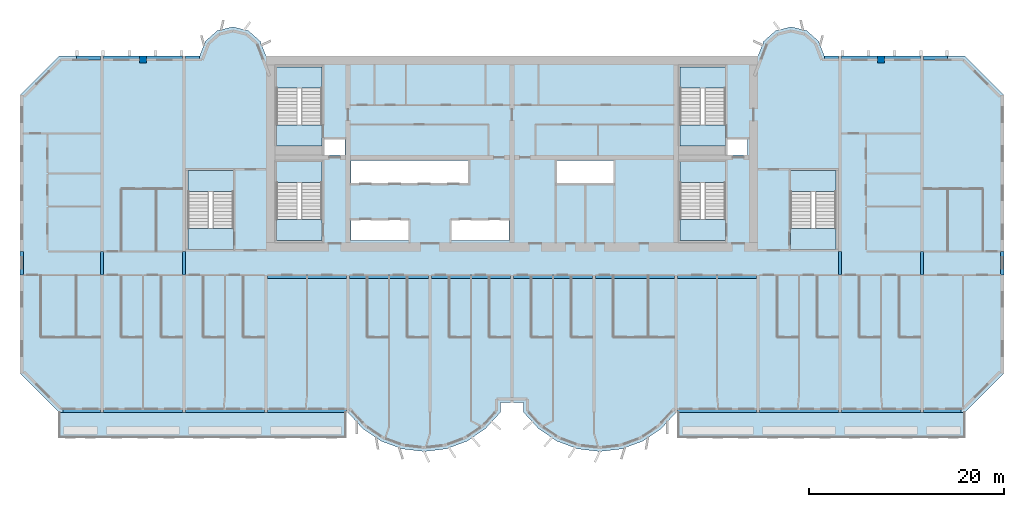
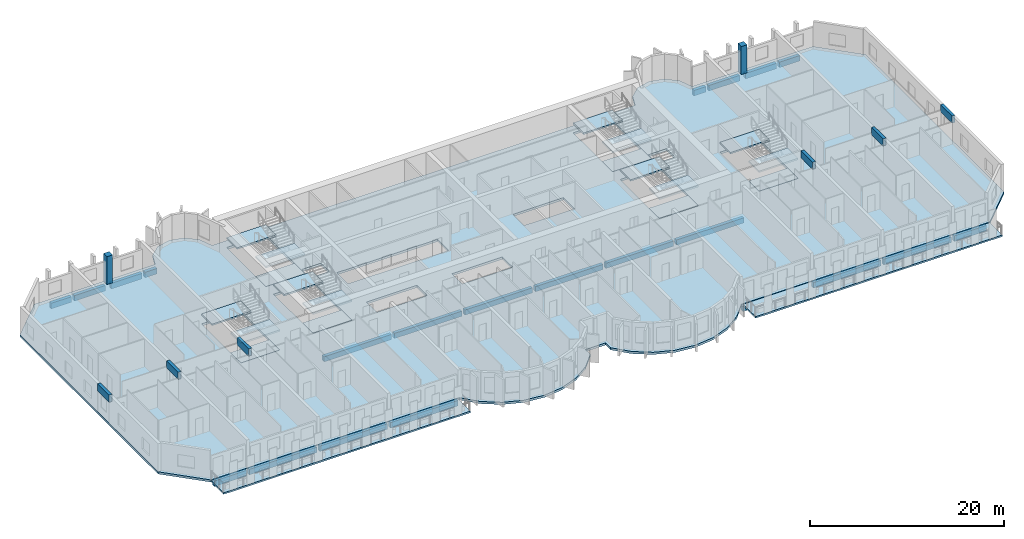
# One storey, part 1 of 14: 28 beams, 21 slabs, 2 columns, 6 elements without a shape of their own.
"""IFC4 building model written with IfcOpenShell, lengths in metres."""

from ifc_helpers import new_model, si_unit, direction, frame, origin, origin_2d, place, context, subcontext, project, spatial, polyline, rectangle, outline, extrude, source, transform, mapped, material, layer, layer_set, material_profile, profile_set, type_object, element, aggregate, save


model = new_model("IFC4")

# Units and contexts
model_context = context("Model", 3, precision=1e-05, world=origin(), true_north=direction((0.0, 1.0)))
body_context = subcontext(model_context, "Body", "Model", "MODEL_VIEW")
ifc_project = project(units=[si_unit("LENGTHUNIT", "METRE"), si_unit("AREAUNIT", "SQUARE_METRE"), si_unit("VOLUMEUNIT", "CUBIC_METRE"), si_unit("PLANEANGLEUNIT", "RADIAN"), si_unit("MASSUNIT", "GRAM", prefix="KILO")], contexts=[model_context])

# Site, building, storey
site_placement = place(None, origin())
site = spatial("IfcSite", under=ifc_project, at=site_placement, CompositionType="ELEMENT")
building_placement = place(site_placement, origin())
building = spatial("IfcBuilding", under=site, at=building_placement, Name="Vanashikhar Sky Hotel", CompositionType="ELEMENT")
storey_placement = place(building_placement, frame((0.0, 0.0, 129.39990234375)))
storey = spatial("IfcBuildingStorey", under=building, at=storey_placement, Name="L31", CompositionType="ELEMENT", Elevation=129.39990234375)

# Columns
ifc_material_1 = material(Name="Concrete M60", Category="concrete")
ifc_material_profile_1 = material_profile(ifc_material_1, rectangle(XDim=0.699951171875, YDim=0.699951171875, at=origin_2d()))
ifc_profile_set_1 = profile_set([ifc_material_profile_1], Name="RC 700x700 column Concrete M60")
column_type = type_object("IfcColumnType", Name="RC 700x700 column Concrete M60", PredefinedType="COLUMN", material=ifc_profile_set_1)
shared_shape_1 = source(origin(), body_context, "Body", "SweptSolid", [
    extrude(rectangle(XDim=0.699951171875, YDim=0.699951171875, at=origin_2d()), origin(), (0.0, 0.0, 1.0), 3.52001953125),
])
for number, where, z_axis, x_axis, name in (
    (1, (12.60009765625, 41.64990234375, 0.0), (0.0, 0.0, 1.0), (1.0, 0.0, 0.0), "CL-L31-CR02"),
    (2, (88.199951171875, 41.64990234375, 0.0), (0.0, 0.0, 1.0), (1.0, 0.0, 0.0), "CL-L31-CR11"),
):
    element("IfcColumn", number, at=place(storey_placement, frame(where, z_axis=z_axis, x_axis=x_axis)), inside=storey, type_object=column_type, Name=name, PredefinedType="COLUMN", context=body_context, shape_type="MappedRepresentation", body=[
        mapped(shared_shape_1, transform((0.0, 0.0, 0.0), scale=1.0)),
    ])

# Beams
ifc_material_2 = material(Name="Concrete M50", Category="concrete")
ifc_material_profile_2 = material_profile(ifc_material_2, rectangle(XDim=0.35009765625, YDim=0.89990234375, at=origin_2d()))
ifc_profile_set_2 = profile_set([ifc_material_profile_2], Name="RC 350x900 beam Concrete M50")
beam_type_1 = type_object("IfcBeamType", Name="RC 350x900 beam Concrete M50", PredefinedType="LINTEL", material=ifc_profile_set_2)
shared_shape_2 = source(origin(), body_context, "Body", "SweptSolid", [
    extrude(rectangle(XDim=0.35009765625, YDim=0.89990234375, at=origin_2d()), origin(), (0.0, 0.0, 1.0), 2.39990234375),
])
for number, where, z_axis, x_axis, name in (
    (3, (0.175048828125, 19.60009765625, 3.070068359375), (0.0, 1.0, 0.0), (-1.0, 0.0, 0.0), "LB-L31-XW01"),
    (4, (8.39990234375, 19.60009765625, 3.070068359375), (0.0, 1.0, 0.0), (-1.0, 0.0, 0.0), "LB-L31-XW02"),
    (5, (16.800048828125, 19.60009765625, 3.070068359375), (0.0, 1.0, 0.0), (-1.0, 0.0, 0.0), "LB-L31-XW03"),
    (6, (84.0, 19.60009765625, 3.070068359375), (0.0, 1.0, 0.0), (-1.0, 0.0, 0.0), "LB-L31-XW11"),
    (7, (92.39990234375, 19.60009765625, 3.070068359375), (0.0, 1.0, 0.0), (-1.0, 0.0, 0.0), "LB-L31-XW12"),
    (8, (100.625, 19.60009765625, 3.070068359375), (0.0, 1.0, 0.0), (-1.0, 0.0, 0.0), "LB-L31-XW13"),
):
    element("IfcBeam", number, at=place(storey_placement, frame(where, z_axis=z_axis, x_axis=x_axis)), inside=storey, type_object=beam_type_1, Name=name, PredefinedType="LINTEL", context=body_context, shape_type="MappedRepresentation", body=[
        mapped(shared_shape_2, transform((0.0, 0.0, 0.0), scale=1.0)),
    ])
ifc_material_profile_3 = material_profile(ifc_material_2, rectangle(XDim=0.39990234375, YDim=0.699951171875, at=origin_2d()))
ifc_profile_set_3 = profile_set([ifc_material_profile_3], Name="RC 400x700 beam Concrete M50")
beam_type_2 = type_object("IfcBeamType", Name="RC 400x700 beam Concrete M50", PredefinedType="SPANDREL", material=ifc_profile_set_3)
shared_shape_3 = source(origin(), body_context, "Body", "SweptSolid", [
    extrude(rectangle(XDim=0.39990234375, YDim=0.699951171875, at=origin_2d()), origin(), (0.0, 0.0, 1.0), 8.050048828125),
])
for number, where, z_axis, x_axis, name in (
    (9, (8.574951171875, 5.699951171875, -0.6298828125), (1.0, 0.0, 0.0), (0.0, 1.0, 0.0), "EB-L31-F01"),
    (10, (25.375, 5.699951171875, -0.6298828125), (1.0, 0.0, 0.0), (0.0, 1.0, 0.0), "EB-L31-F03"),
    (11, (67.375, 5.699951171875, -0.6298828125), (1.0, 0.0, 0.0), (0.0, 1.0, 0.0), "EB-L31-F05"),
    (12, (75.77490234375, 5.699951171875, -0.6298828125), (1.0, 0.0, 0.0), (0.0, 1.0, 0.0), "EB-L31-F06"),
    (13, (84.175048828125, 5.699951171875, -0.6298828125), (1.0, 0.0, 0.0), (0.0, 1.0, 0.0), "EB-L31-F07"),
):
    element("IfcBeam", number, at=place(storey_placement, frame(where, z_axis=z_axis, x_axis=x_axis)), inside=storey, type_object=beam_type_2, Name=name, PredefinedType="SPANDREL", context=body_context, shape_type="MappedRepresentation", body=[
        mapped(shared_shape_3, transform((0.0, 0.0, 0.0), scale=1.0)),
    ])
shared_shape_4 = source(origin(), body_context, "Body", "SweptSolid", [
    extrude(rectangle(XDim=0.39990234375, YDim=0.699951171875, at=origin_2d()), origin(), (0.0, 0.0, 1.0), 8.0498046875),
])
beam_1_placement = place(storey_placement, frame((16.97509765625, 5.699951171875, -0.6298828125), z_axis=(1.0, 0.0, 0.0), x_axis=(0.0, 1.0, 0.0)))
element("IfcBeam", 14, at=beam_1_placement, inside=storey, type_object=beam_type_2, Name="EB-L31-F02", PredefinedType="SPANDREL", context=body_context, shape_type="MappedRepresentation", body=[
    mapped(shared_shape_4, transform((0.0, 0.0, 0.0), scale=1.0)),
])
ifc_material_profile_4 = material_profile(ifc_material_2, rectangle(XDim=0.39990234375, YDim=0.699951171875, at=origin_2d()))
ifc_profile_set_4 = profile_set([ifc_material_profile_4], Name="RC 400x700 cantilever beam Concrete M50")
beam_type_3 = type_object("IfcBeamType", Name="RC 400x700 cantilever beam Concrete M50", PredefinedType="SPANDREL", material=ifc_profile_set_4)
shared_shape_5 = source(origin(), body_context, "Body", "SweptSolid", [
    extrude(rectangle(XDim=0.39990234375, YDim=0.699951171875, at=origin_2d()), origin(), (0.0, 0.0, 1.0), 3.8251953125),
])
beam_2_placement = place(storey_placement, frame((4.39990234375, 5.699951171875, -0.6298828125), z_axis=(1.0, 0.0, 0.0), x_axis=(0.0, 1.0, 0.0)))
element("IfcBeam", 15, at=beam_2_placement, inside=storey, type_object=beam_type_3, Name="EB-L31-F04", PredefinedType="SPANDREL", context=body_context, shape_type="MappedRepresentation", body=[
    mapped(shared_shape_5, transform((0.0, 0.0, 0.0), scale=1.0)),
])
shared_shape_6 = source(origin(), body_context, "Body", "SweptSolid", [
    extrude(rectangle(XDim=0.39990234375, YDim=0.699951171875, at=origin_2d()), origin(), (0.0, 0.0, 1.0), 3.824951171875),
])
beam_3_placement = place(storey_placement, frame((92.574951171875, 5.699951171875, -0.6298828125), z_axis=(1.0, 0.0, 0.0), x_axis=(0.0, 1.0, 0.0)))
element("IfcBeam", 16, at=beam_3_placement, inside=storey, type_object=beam_type_3, Name="EB-L31-F08", PredefinedType="SPANDREL", context=body_context, shape_type="MappedRepresentation", body=[
    mapped(shared_shape_6, transform((0.0, 0.0, 0.0), scale=1.0)),
])
shared_shape_7 = source(origin(), body_context, "Body", "SweptSolid", [
    extrude(rectangle(XDim=0.39990234375, YDim=0.699951171875, at=origin_2d()), origin(), (0.0, 0.0, 1.0), 3.675048828125),
])
for number, where, z_axis, x_axis, name in (
    (17, (8.574951171875, 41.800048828125, -0.6298828125), (1.0, 0.0, 0.0), (0.0, 1.0, 0.0), "EB-L31-R01"),
    (18, (12.949951171875, 41.800048828125, -0.6298828125), (1.0, 0.0, 0.0), (0.0, 1.0, 0.0), "EB-L31-R02"),
    (19, (84.175048828125, 41.800048828125, -0.6298828125), (1.0, 0.0, 0.0), (0.0, 1.0, 0.0), "EB-L31-R05"),
    (20, (88.550048828125, 41.800048828125, -0.6298828125), (1.0, 0.0, 0.0), (0.0, 1.0, 0.0), "EB-L31-R06"),
):
    element("IfcBeam", number, at=place(storey_placement, frame(where, z_axis=z_axis, x_axis=x_axis)), inside=storey, type_object=beam_type_2, Name=name, PredefinedType="SPANDREL", context=body_context, shape_type="MappedRepresentation", body=[
        mapped(shared_shape_7, transform((0.0, 0.0, 0.0), scale=1.0)),
    ])
shared_shape_8 = source(origin(), body_context, "Body", "SweptSolid", [
    extrude(rectangle(XDim=0.39990234375, YDim=0.699951171875, at=origin_2d()), origin(), (0.0, 0.0, 1.0), 2.43017578125),
])
beam_4_placement = place(storey_placement, frame((5.794921875, 41.800048828125, -0.6298828125), z_axis=(1.0, 0.0, 0.0), x_axis=(0.0, 1.0, 0.0)))
element("IfcBeam", 21, at=beam_4_placement, inside=storey, type_object=beam_type_3, Name="EB-L31-R03", PredefinedType="SPANDREL", context=body_context, shape_type="MappedRepresentation", body=[
    mapped(shared_shape_8, transform((0.0, 0.0, 0.0), scale=1.0)),
])
shared_shape_9 = source(origin(), body_context, "Body", "SweptSolid", [
    extrude(rectangle(XDim=0.39990234375, YDim=0.699951171875, at=origin_2d()), origin(), (0.0, 0.0, 1.0), 1.4248046875),
])
beam_5_placement = place(storey_placement, frame((16.97509765625, 41.800048828125, -0.6298828125), z_axis=(1.0, 0.0, 0.0), x_axis=(0.0, 1.0, 0.0)))
element("IfcBeam", 22, at=beam_5_placement, inside=storey, type_object=beam_type_3, Name="EB-L31-R04", PredefinedType="SPANDREL", context=body_context, shape_type="MappedRepresentation", body=[
    mapped(shared_shape_9, transform((0.0, 0.0, 0.0), scale=1.0)),
])
shared_shape_10 = source(origin(), body_context, "Body", "SweptSolid", [
    extrude(rectangle(XDim=0.39990234375, YDim=0.699951171875, at=origin_2d()), origin(), (0.0, 0.0, 1.0), 1.425048828125),
])
beam_6_placement = place(storey_placement, frame((82.39990234375, 41.800048828125, -0.6298828125), z_axis=(1.0, 0.0, 0.0), x_axis=(0.0, 1.0, 0.0)))
element("IfcBeam", 23, at=beam_6_placement, inside=storey, type_object=beam_type_3, Name="EB-L31-R07", PredefinedType="SPANDREL", context=body_context, shape_type="MappedRepresentation", body=[
    mapped(shared_shape_10, transform((0.0, 0.0, 0.0), scale=1.0)),
])
shared_shape_11 = source(origin(), body_context, "Body", "SweptSolid", [
    extrude(rectangle(XDim=0.39990234375, YDim=0.699951171875, at=origin_2d()), origin(), (0.0, 0.0, 1.0), 2.429931640625),
])
beam_7_placement = place(storey_placement, frame((92.574951171875, 41.800048828125, -0.6298828125), z_axis=(1.0, 0.0, 0.0), x_axis=(0.0, 1.0, 0.0)))
element("IfcBeam", 24, at=beam_7_placement, inside=storey, type_object=beam_type_3, Name="EB-L31-R08", PredefinedType="SPANDREL", context=body_context, shape_type="MappedRepresentation", body=[
    mapped(shared_shape_11, transform((0.0, 0.0, 0.0), scale=1.0)),
])
ifc_material_profile_5 = material_profile(ifc_material_2, rectangle(XDim=0.39990234375, YDim=0.64990234375, at=origin_2d()))
ifc_profile_set_5 = profile_set([ifc_material_profile_5], Name="RC 400x650 beam Concrete M50")
beam_type_4 = type_object("IfcBeamType", Name="RC 400x650 beam Concrete M50", PredefinedType="BEAM", material=ifc_profile_set_5)
shared_shape_12 = source(origin(), body_context, "Body", "SweptSolid", [
    extrude(rectangle(XDim=0.39990234375, YDim=0.64990234375, at=origin_2d()), origin(), (0.0, 0.0, 1.0), 8.050048828125),
])
for number, where, z_axis, x_axis, name in (
    (25, (25.375, 19.39990234375, -0.60498046875), (1.0, 0.0, 0.0), (0.0, 1.0, 0.0), "CB-L31-01"),
    (26, (33.77490234375, 19.39990234375, -0.60498046875), (1.0, 0.0, 0.0), (0.0, 1.0, 0.0), "CB-L31-02"),
    (27, (42.175048828125, 19.39990234375, -0.60498046875), (1.0, 0.0, 0.0), (0.0, 1.0, 0.0), "CB-L31-03"),
    (28, (50.574951171875, 19.39990234375, -0.60498046875), (1.0, 0.0, 0.0), (0.0, 1.0, 0.0), "CB-L31-04"),
    (29, (67.375, 19.39990234375, -0.60498046875), (1.0, 0.0, 0.0), (0.0, 1.0, 0.0), "CB-L31-06"),
):
    element("IfcBeam", number, at=place(storey_placement, frame(where, z_axis=z_axis, x_axis=x_axis)), inside=storey, type_object=beam_type_4, Name=name, PredefinedType="BEAM", context=body_context, shape_type="MappedRepresentation", body=[
        mapped(shared_shape_12, transform((0.0, 0.0, 0.0), scale=1.0)),
    ])
shared_shape_13 = source(origin(), body_context, "Body", "SweptSolid", [
    extrude(rectangle(XDim=0.39990234375, YDim=0.64990234375, at=origin_2d()), origin(), (0.0, 0.0, 1.0), 8.0498046875),
])
beam_8_placement = place(storey_placement, frame((58.97509765625, 19.39990234375, -0.60498046875), z_axis=(1.0, 0.0, 0.0), x_axis=(0.0, 1.0, 0.0)))
element("IfcBeam", 30, at=beam_8_placement, inside=storey, type_object=beam_type_4, Name="CB-L31-05", PredefinedType="BEAM", context=body_context, shape_type="MappedRepresentation", body=[
    mapped(shared_shape_13, transform((0.0, 0.0, 0.0), scale=1.0)),
])

# Slabs
ifc_material_3 = material(Name="Concrete M40", Category="concrete")
ifc_layer_1 = layer(ifc_material_3, 0.280029296875)
ifc_layer_set_1 = layer_set([ifc_layer_1], Name="Floor slab 280 mm")
slab_type_1 = type_object("IfcSlabType", Name="Floor slab 280 mm", PredefinedType="FLOOR", material=ifc_layer_set_1)
shared_shape_14 = source(origin(), body_context, "Body", "SweptSolid", [
    extrude(outline(polyline([(49.199951171875, 5.5), (49.199951171875, 6.5), (51.60009765625, 6.5), (51.60009765625, 5.5), (53.133056640625, 3.825927734375), (55.01708984375, 2.55810546875), (57.14599609375, 1.76806640625), (59.39990234375, 1.5), (61.654052734375, 1.76806640625), (63.782958984375, 2.55810546875), (65.6669921875, 3.825927734375), (67.199951171875, 5.5), (96.800048828125, 5.5), (100.800048828125, 9.5), (100.800048828125, 38.0), (96.800048828125, 42.0), (82.39990234375, 42.0), (81.81494140625, 43.527099609375), (80.587890625, 44.610107421875), (79.0, 45.0), (77.412109375, 44.610107421875), (76.18505859375, 43.527099609375), (75.60009765625, 42.0), (25.199951171875, 42.0), (24.614990234375, 43.527099609375), (23.387939453125, 44.610107421875), (21.800048828125, 45.0), (20.2119140625, 44.610107421875), (18.985107421875, 43.527099609375), (18.39990234375, 42.0), (4.0, 42.0), (0.0, 38.0), (0.0, 9.5), (4.0, 5.5), (33.60009765625, 5.5), (35.133056640625, 3.825927734375), (37.01708984375, 2.55810546875), (39.14599609375, 1.76806640625), (41.39990234375, 1.5), (43.654052734375, 1.76806640625), (45.782958984375, 2.55810546875), (47.6669921875, 3.825927734375), (49.199951171875, 5.5)]), holes=[polyline([(33.300048828125, 33.60009765625), (31.050048828125, 33.60009765625), (31.050048828125, 31.89990234375), (33.300048828125, 31.89990234375), (33.300048828125, 33.60009765625)]), polyline([(33.89990234375, 25.199951171875), (33.89990234375, 23.10009765625), (39.89990234375, 23.10009765625), (39.89990234375, 25.199951171875), (33.89990234375, 25.199951171875)]), polyline([(33.89990234375, 31.300048828125), (33.89990234375, 29.0), (45.89990234375, 29.0), (45.89990234375, 31.300048828125), (33.89990234375, 31.300048828125)]), polyline([(44.10009765625, 25.199951171875), (44.10009765625, 23.10009765625), (50.10009765625, 23.10009765625), (50.10009765625, 25.199951171875), (44.10009765625, 25.199951171875)]), polyline([(54.89990234375, 31.300048828125), (54.89990234375, 29.0), (60.89990234375, 29.0), (60.89990234375, 31.300048828125), (54.89990234375, 31.300048828125)]), polyline([(74.5, 33.60009765625), (72.35009765625, 33.60009765625), (72.35009765625, 31.89990234375), (74.5, 31.89990234375), (74.5, 33.60009765625)]), polyline([(30.949951171875, 23.10009765625), (30.949951171875, 31.199951171875), (26.300048828125, 31.199951171875), (26.300048828125, 23.10009765625), (30.949951171875, 23.10009765625)]), polyline([(72.25, 23.10009765625), (72.25, 31.199951171875), (67.60009765625, 31.199951171875), (67.60009765625, 23.10009765625), (72.25, 23.10009765625)]), polyline([(30.949951171875, 32.800048828125), (30.949951171875, 40.89990234375), (26.300048828125, 40.89990234375), (26.300048828125, 32.800048828125), (30.949951171875, 32.800048828125)]), polyline([(72.25, 32.800048828125), (72.25, 40.89990234375), (67.60009765625, 40.89990234375), (67.60009765625, 32.800048828125), (72.25, 32.800048828125)]), polyline([(83.60009765625, 22.199951171875), (83.60009765625, 30.300048828125), (78.949951171875, 30.300048828125), (78.949951171875, 22.199951171875), (83.60009765625, 22.199951171875)]), polyline([(21.85009765625, 22.199951171875), (21.85009765625, 30.300048828125), (17.199951171875, 30.300048828125), (17.199951171875, 22.199951171875), (21.85009765625, 22.199951171875)])]), origin(), (0.0, 0.0, 1.0), 0.27978515625),
])
slab_1_placement = place(storey_placement, frame((0.0, 0.0, -0.27978515625)))
element("IfcSlab", 31, at=slab_1_placement, inside=storey, type_object=slab_type_1, Name="Floor slab L31", PredefinedType="FLOOR", context=body_context, shape_type="MappedRepresentation", body=[
    mapped(shared_shape_14, transform((0.0, 0.0, 0.0), scale=1.0)),
])
ifc_layer_2 = layer(ifc_material_3, 0.199951171875)
ifc_layer_set_2 = layer_set([ifc_layer_2], Name="Balcony slab 200 mm")
slab_type_2 = type_object("IfcSlabType", Name="Balcony slab 200 mm", PredefinedType="USERDEFINED", material=ifc_layer_set_2)
shared_shape_15 = source(origin(), body_context, "Body", "SweptSolid", [
    extrude(outline(polyline([(4.0, 2.89990234375), (33.39990234375, 2.89990234375), (33.39990234375, 5.5), (4.0, 5.5), (4.0, 2.89990234375)])), origin(), (0.0, 0.0, 1.0), 0.2001953125),
])
slab_2_placement = place(storey_placement, frame((0.0, 0.0, -0.25)))
element("IfcSlab", 32, at=slab_2_placement, inside=storey, type_object=slab_type_2, Name="Balcony slab L31 1", ObjectType="BALCONY", PredefinedType="USERDEFINED", context=body_context, shape_type="MappedRepresentation", body=[
    mapped(shared_shape_15, transform((0.0, 0.0, 0.0), scale=1.0)),
])
shared_shape_16 = source(origin(), body_context, "Body", "SweptSolid", [
    extrude(outline(polyline([(67.39990234375, 2.89990234375), (96.800048828125, 2.89990234375), (96.800048828125, 5.5), (67.39990234375, 5.5), (67.39990234375, 2.89990234375)])), origin(), (0.0, 0.0, 1.0), 0.2001953125),
])
slab_3_placement = place(storey_placement, frame((0.0, 0.0, -0.25)))
element("IfcSlab", 33, at=slab_3_placement, inside=storey, type_object=slab_type_2, Name="Balcony slab L31 2", ObjectType="BALCONY", PredefinedType="USERDEFINED", context=body_context, shape_type="MappedRepresentation", body=[
    mapped(shared_shape_16, transform((0.0, 0.0, 0.0), scale=1.0)),
])

# Stair, slabs
stair_type = type_object("IfcStairType", Name="Exit stair 2150", PredefinedType="DOUBLE_RETURN_STAIR", material=ifc_material_3)
stair_1_placement = place(storey_placement, origin())
stair_1 = element("IfcStair", 34, at=stair_1_placement, inside=storey, type_object=stair_type, Name="L31 Exit stair 1", PredefinedType="DOUBLE_RETURN_STAIR")
ifc_layer_3 = layer(ifc_material_3, 0.199951171875)
ifc_layer_set_3 = layer_set([ifc_layer_3], Name="Stair landing 200")
slab_type_3 = type_object("IfcSlabType", Name="Stair landing 200", PredefinedType="LANDING", material=ifc_layer_set_3)
shared_shape_17 = source(origin(), body_context, "Body", "SweptSolid", [
    extrude(outline(polyline([(30.949951171875, 23.10009765625), (30.949951171875, 25.25), (26.300048828125, 25.25), (26.300048828125, 23.10009765625), (30.949951171875, 23.10009765625)])), origin(), (0.0, 0.0, 1.0), 0.199951171875),
])
slab_4_placement = place(storey_placement, frame((0.0, 0.0, 2.33349609375)))
slab_4 = element("IfcSlab", 35, at=slab_4_placement, type_object=slab_type_3, Name="ST-C1 landing 2", PredefinedType="LANDING", context=body_context, shape_type="MappedRepresentation", body=[
    mapped(shared_shape_17, transform((0.0, 0.0, 0.0), scale=1.0)),
])
shared_shape_18 = source(origin(), body_context, "Body", "SweptSolid", [
    extrude(outline(polyline([(30.949951171875, 29.050048828125), (30.949951171875, 31.199951171875), (26.300048828125, 31.199951171875), (26.300048828125, 29.050048828125), (30.949951171875, 29.050048828125)])), origin(), (0.0, 0.0, 1.0), 0.2001953125),
])
slab_5_placement = place(storey_placement, frame((0.0, 0.0, 1.066650390625)))
slab_5 = element("IfcSlab", 36, at=slab_5_placement, type_object=slab_type_3, Name="ST-C1 landing 1", PredefinedType="LANDING", context=body_context, shape_type="MappedRepresentation", body=[
    mapped(shared_shape_18, transform((0.0, 0.0, 0.0), scale=1.0)),
])
aggregate(stair_1, [slab_5, slab_4])

# Slab
ifc_layer_4 = layer(ifc_material_3, 0.280029296875)
ifc_layer_set_4 = layer_set([ifc_layer_4], Name="Stair floor landing 280")
slab_type_4 = type_object("IfcSlabType", Name="Stair floor landing 280", PredefinedType="LANDING", material=ifc_layer_set_4)
shared_shape_19 = source(origin(), body_context, "Body", "SweptSolid", [
    extrude(outline(polyline([(30.949951171875, 23.10009765625), (30.949951171875, 25.25), (26.300048828125, 25.25), (26.300048828125, 23.10009765625), (30.949951171875, 23.10009765625)])), origin(), (0.0, 0.0, 1.0), 0.27978515625),
])
slab_6_placement = place(storey_placement, frame((0.0, 0.0, -0.27978515625)))
element("IfcSlab", 37, at=slab_6_placement, inside=storey, type_object=slab_type_4, Name="Exit stair 1 floor landing", PredefinedType="LANDING", context=body_context, shape_type="MappedRepresentation", body=[
    mapped(shared_shape_19, transform((0.0, 0.0, 0.0), scale=1.0)),
])

# Stair, slabs
stair_2_placement = place(storey_placement, origin())
stair_2 = element("IfcStair", 38, at=stair_2_placement, inside=storey, type_object=stair_type, Name="L31 Exit stair 2", PredefinedType="DOUBLE_RETURN_STAIR")
shared_shape_20 = source(origin(), body_context, "Body", "SweptSolid", [
    extrude(outline(polyline([(72.25, 23.10009765625), (72.25, 25.25), (67.60009765625, 25.25), (67.60009765625, 23.10009765625), (72.25, 23.10009765625)])), origin(), (0.0, 0.0, 1.0), 0.199951171875),
])
slab_7_placement = place(storey_placement, frame((0.0, 0.0, 2.33349609375)))
slab_7 = element("IfcSlab", 39, at=slab_7_placement, type_object=slab_type_3, Name="ST-C2 landing 2", PredefinedType="LANDING", context=body_context, shape_type="MappedRepresentation", body=[
    mapped(shared_shape_20, transform((0.0, 0.0, 0.0), scale=1.0)),
])
shared_shape_21 = source(origin(), body_context, "Body", "SweptSolid", [
    extrude(outline(polyline([(72.25, 29.050048828125), (72.25, 31.199951171875), (67.60009765625, 31.199951171875), (67.60009765625, 29.050048828125), (72.25, 29.050048828125)])), origin(), (0.0, 0.0, 1.0), 0.2001953125),
])
slab_8_placement = place(storey_placement, frame((0.0, 0.0, 1.066650390625)))
slab_8 = element("IfcSlab", 40, at=slab_8_placement, type_object=slab_type_3, Name="ST-C2 landing 1", PredefinedType="LANDING", context=body_context, shape_type="MappedRepresentation", body=[
    mapped(shared_shape_21, transform((0.0, 0.0, 0.0), scale=1.0)),
])
aggregate(stair_2, [slab_8, slab_7])

# Slab
shared_shape_22 = source(origin(), body_context, "Body", "SweptSolid", [
    extrude(outline(polyline([(72.25, 23.10009765625), (72.25, 25.25), (67.60009765625, 25.25), (67.60009765625, 23.10009765625), (72.25, 23.10009765625)])), origin(), (0.0, 0.0, 1.0), 0.27978515625),
])
slab_9_placement = place(storey_placement, frame((0.0, 0.0, -0.27978515625)))
element("IfcSlab", 41, at=slab_9_placement, inside=storey, type_object=slab_type_4, Name="Exit stair 2 floor landing", PredefinedType="LANDING", context=body_context, shape_type="MappedRepresentation", body=[
    mapped(shared_shape_22, transform((0.0, 0.0, 0.0), scale=1.0)),
])

# Stair, slabs
stair_3_placement = place(storey_placement, origin())
stair_3 = element("IfcStair", 42, at=stair_3_placement, inside=storey, type_object=stair_type, Name="L31 Exit stair 3", PredefinedType="DOUBLE_RETURN_STAIR")
shared_shape_23 = source(origin(), body_context, "Body", "SweptSolid", [
    extrude(outline(polyline([(21.85009765625, 22.199951171875), (21.85009765625, 24.35009765625), (17.199951171875, 24.35009765625), (17.199951171875, 22.199951171875), (21.85009765625, 22.199951171875)])), origin(), (0.0, 0.0, 1.0), 0.199951171875),
])
slab_10_placement = place(storey_placement, frame((0.0, 0.0, 2.33349609375)))
slab_10 = element("IfcSlab", 43, at=slab_10_placement, type_object=slab_type_3, Name="ST-W landing 2", PredefinedType="LANDING", context=body_context, shape_type="MappedRepresentation", body=[
    mapped(shared_shape_23, transform((0.0, 0.0, 0.0), scale=1.0)),
])
shared_shape_24 = source(origin(), body_context, "Body", "SweptSolid", [
    extrude(outline(polyline([(21.85009765625, 28.14990234375), (21.85009765625, 30.300048828125), (17.199951171875, 30.300048828125), (17.199951171875, 28.14990234375), (21.85009765625, 28.14990234375)])), origin(), (0.0, 0.0, 1.0), 0.2001953125),
])
slab_11_placement = place(storey_placement, frame((0.0, 0.0, 1.066650390625)))
slab_11 = element("IfcSlab", 44, at=slab_11_placement, type_object=slab_type_3, Name="ST-W landing 1", PredefinedType="LANDING", context=body_context, shape_type="MappedRepresentation", body=[
    mapped(shared_shape_24, transform((0.0, 0.0, 0.0), scale=1.0)),
])
aggregate(stair_3, [slab_11, slab_10])

# Slab
shared_shape_25 = source(origin(), body_context, "Body", "SweptSolid", [
    extrude(outline(polyline([(21.85009765625, 22.199951171875), (21.85009765625, 24.35009765625), (17.199951171875, 24.35009765625), (17.199951171875, 22.199951171875), (21.85009765625, 22.199951171875)])), origin(), (0.0, 0.0, 1.0), 0.27978515625),
])
slab_12_placement = place(storey_placement, frame((0.0, 0.0, -0.27978515625)))
element("IfcSlab", 45, at=slab_12_placement, inside=storey, type_object=slab_type_4, Name="Exit stair 3 floor landing", PredefinedType="LANDING", context=body_context, shape_type="MappedRepresentation", body=[
    mapped(shared_shape_25, transform((0.0, 0.0, 0.0), scale=1.0)),
])

# Stair, slabs
stair_4_placement = place(storey_placement, origin())
stair_4 = element("IfcStair", 46, at=stair_4_placement, inside=storey, type_object=stair_type, Name="L31 Exit stair 4", PredefinedType="DOUBLE_RETURN_STAIR")
shared_shape_26 = source(origin(), body_context, "Body", "SweptSolid", [
    extrude(outline(polyline([(83.60009765625, 22.199951171875), (83.60009765625, 24.35009765625), (78.949951171875, 24.35009765625), (78.949951171875, 22.199951171875), (83.60009765625, 22.199951171875)])), origin(), (0.0, 0.0, 1.0), 0.199951171875),
])
slab_13_placement = place(storey_placement, frame((0.0, 0.0, 2.33349609375)))
slab_13 = element("IfcSlab", 47, at=slab_13_placement, type_object=slab_type_3, Name="ST-E landing 2", PredefinedType="LANDING", context=body_context, shape_type="MappedRepresentation", body=[
    mapped(shared_shape_26, transform((0.0, 0.0, 0.0), scale=1.0)),
])
shared_shape_27 = source(origin(), body_context, "Body", "SweptSolid", [
    extrude(outline(polyline([(83.60009765625, 28.14990234375), (83.60009765625, 30.300048828125), (78.949951171875, 30.300048828125), (78.949951171875, 28.14990234375), (83.60009765625, 28.14990234375)])), origin(), (0.0, 0.0, 1.0), 0.2001953125),
])
slab_14_placement = place(storey_placement, frame((0.0, 0.0, 1.066650390625)))
slab_14 = element("IfcSlab", 48, at=slab_14_placement, type_object=slab_type_3, Name="ST-E landing 1", PredefinedType="LANDING", context=body_context, shape_type="MappedRepresentation", body=[
    mapped(shared_shape_27, transform((0.0, 0.0, 0.0), scale=1.0)),
])
aggregate(stair_4, [slab_14, slab_13])

# Slab
shared_shape_28 = source(origin(), body_context, "Body", "SweptSolid", [
    extrude(outline(polyline([(83.60009765625, 22.199951171875), (83.60009765625, 24.35009765625), (78.949951171875, 24.35009765625), (78.949951171875, 22.199951171875), (83.60009765625, 22.199951171875)])), origin(), (0.0, 0.0, 1.0), 0.27978515625),
])
slab_15_placement = place(storey_placement, frame((0.0, 0.0, -0.27978515625)))
element("IfcSlab", 49, at=slab_15_placement, inside=storey, type_object=slab_type_4, Name="Exit stair 4 floor landing", PredefinedType="LANDING", context=body_context, shape_type="MappedRepresentation", body=[
    mapped(shared_shape_28, transform((0.0, 0.0, 0.0), scale=1.0)),
])

# Stair, slabs
stair_5_placement = place(storey_placement, origin())
stair_5 = element("IfcStair", 50, at=stair_5_placement, inside=storey, type_object=stair_type, Name="L31 Exit stair 5", PredefinedType="DOUBLE_RETURN_STAIR")
shared_shape_29 = source(origin(), body_context, "Body", "SweptSolid", [
    extrude(outline(polyline([(30.949951171875, 32.800048828125), (30.949951171875, 34.949951171875), (26.300048828125, 34.949951171875), (26.300048828125, 32.800048828125), (30.949951171875, 32.800048828125)])), origin(), (0.0, 0.0, 1.0), 0.199951171875),
])
slab_16_placement = place(storey_placement, frame((0.0, 0.0, 2.33349609375)))
slab_16 = element("IfcSlab", 51, at=slab_16_placement, type_object=slab_type_3, Name="ST-C3 landing 2", PredefinedType="LANDING", context=body_context, shape_type="MappedRepresentation", body=[
    mapped(shared_shape_29, transform((0.0, 0.0, 0.0), scale=1.0)),
])
shared_shape_30 = source(origin(), body_context, "Body", "SweptSolid", [
    extrude(outline(polyline([(30.949951171875, 38.75), (30.949951171875, 40.89990234375), (26.300048828125, 40.89990234375), (26.300048828125, 38.75), (30.949951171875, 38.75)])), origin(), (0.0, 0.0, 1.0), 0.2001953125),
])
slab_17_placement = place(storey_placement, frame((0.0, 0.0, 1.066650390625)))
slab_17 = element("IfcSlab", 52, at=slab_17_placement, type_object=slab_type_3, Name="ST-C3 landing 1", PredefinedType="LANDING", context=body_context, shape_type="MappedRepresentation", body=[
    mapped(shared_shape_30, transform((0.0, 0.0, 0.0), scale=1.0)),
])
aggregate(stair_5, [slab_17, slab_16])

# Slab
shared_shape_31 = source(origin(), body_context, "Body", "SweptSolid", [
    extrude(outline(polyline([(30.949951171875, 32.800048828125), (30.949951171875, 34.949951171875), (26.300048828125, 34.949951171875), (26.300048828125, 32.800048828125), (30.949951171875, 32.800048828125)])), origin(), (0.0, 0.0, 1.0), 0.27978515625),
])
slab_18_placement = place(storey_placement, frame((0.0, 0.0, -0.27978515625)))
element("IfcSlab", 53, at=slab_18_placement, inside=storey, type_object=slab_type_4, Name="Exit stair 5 floor landing", PredefinedType="LANDING", context=body_context, shape_type="MappedRepresentation", body=[
    mapped(shared_shape_31, transform((0.0, 0.0, 0.0), scale=1.0)),
])

# Stair, slabs
stair_6_placement = place(storey_placement, origin())
stair_6 = element("IfcStair", 54, at=stair_6_placement, inside=storey, type_object=stair_type, Name="L31 Exit stair 6", PredefinedType="DOUBLE_RETURN_STAIR")
shared_shape_32 = source(origin(), body_context, "Body", "SweptSolid", [
    extrude(outline(polyline([(72.25, 32.800048828125), (72.25, 34.949951171875), (67.60009765625, 34.949951171875), (67.60009765625, 32.800048828125), (72.25, 32.800048828125)])), origin(), (0.0, 0.0, 1.0), 0.199951171875),
])
slab_19_placement = place(storey_placement, frame((0.0, 0.0, 2.33349609375)))
slab_19 = element("IfcSlab", 55, at=slab_19_placement, type_object=slab_type_3, Name="ST-C4 landing 2", PredefinedType="LANDING", context=body_context, shape_type="MappedRepresentation", body=[
    mapped(shared_shape_32, transform((0.0, 0.0, 0.0), scale=1.0)),
])
shared_shape_33 = source(origin(), body_context, "Body", "SweptSolid", [
    extrude(outline(polyline([(72.25, 38.75), (72.25, 40.89990234375), (67.60009765625, 40.89990234375), (67.60009765625, 38.75), (72.25, 38.75)])), origin(), (0.0, 0.0, 1.0), 0.2001953125),
])
slab_20_placement = place(storey_placement, frame((0.0, 0.0, 1.066650390625)))
slab_20 = element("IfcSlab", 56, at=slab_20_placement, type_object=slab_type_3, Name="ST-C4 landing 1", PredefinedType="LANDING", context=body_context, shape_type="MappedRepresentation", body=[
    mapped(shared_shape_33, transform((0.0, 0.0, 0.0), scale=1.0)),
])
aggregate(stair_6, [slab_20, slab_19])

# Slab
shared_shape_34 = source(origin(), body_context, "Body", "SweptSolid", [
    extrude(outline(polyline([(72.25, 32.800048828125), (72.25, 34.949951171875), (67.60009765625, 34.949951171875), (67.60009765625, 32.800048828125), (72.25, 32.800048828125)])), origin(), (0.0, 0.0, 1.0), 0.27978515625),
])
slab_21_placement = place(storey_placement, frame((0.0, 0.0, -0.27978515625)))
element("IfcSlab", 57, at=slab_21_placement, inside=storey, type_object=slab_type_4, Name="Exit stair 6 floor landing", PredefinedType="LANDING", context=body_context, shape_type="MappedRepresentation", body=[
    mapped(shared_shape_34, transform((0.0, 0.0, 0.0), scale=1.0)),
])

save(model, "model.ifc")
